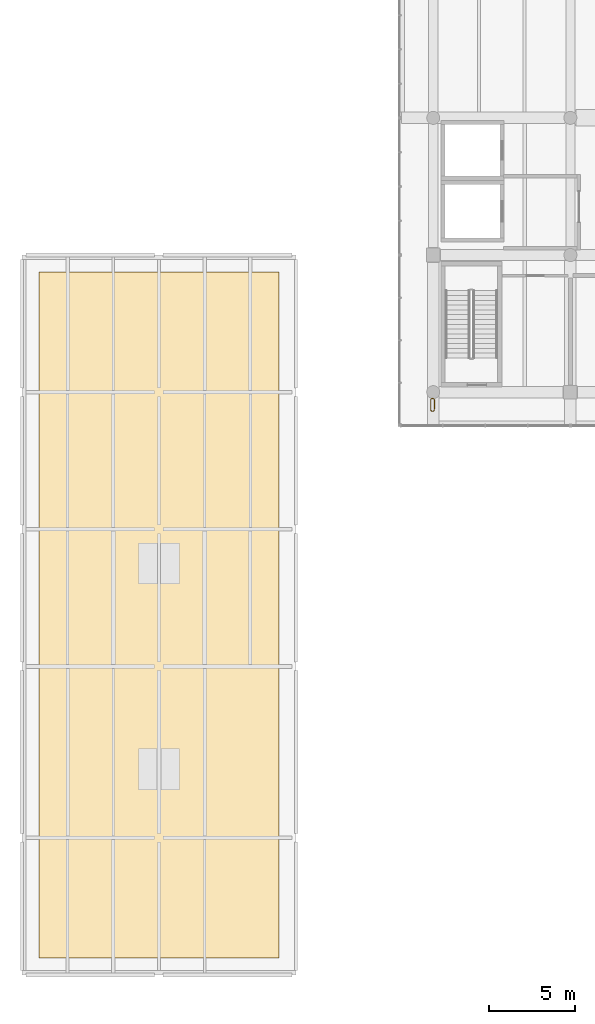
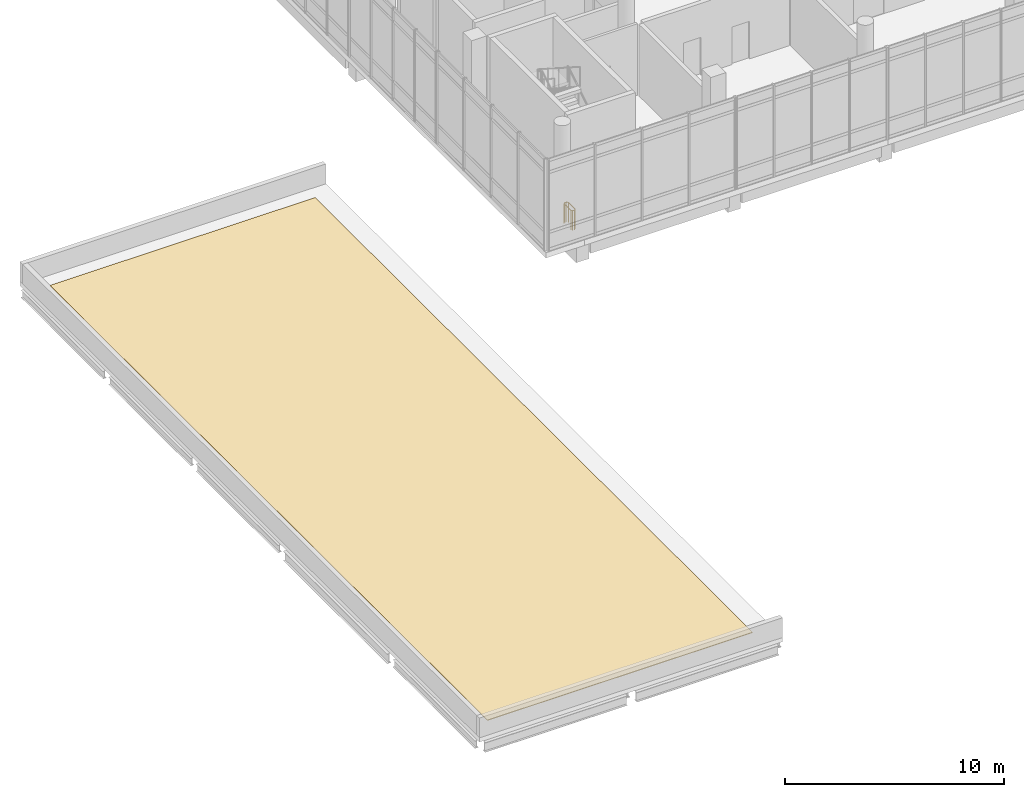
# One storey, part 16 of 20: 1 covering, 1 railing.
"""IFC4 building model written with IfcOpenShell, lengths in metres."""

from ifc_helpers import new_model, si_unit, direction, frame, origin, origin_2d, place, context, subcontext, project, spatial, polyline, circle, outline, extrude, material, layer, layer_set, type_object, element, save


model = new_model("IFC4")

# Units and contexts
model_context = context("Model", 3, precision=1e-05, world=origin(), true_north=direction((0.0, 1.0)))
body_context = subcontext(model_context, "Body", "Model", "MODEL_VIEW")
ifc_project = project(units=[si_unit("LENGTHUNIT", "METRE"), si_unit("AREAUNIT", "SQUARE_METRE"), si_unit("VOLUMEUNIT", "CUBIC_METRE"), si_unit("PLANEANGLEUNIT", "RADIAN"), si_unit("MASSUNIT", "GRAM", prefix="KILO")], contexts=[model_context])

# Site, building, storey
site_placement = place(None, origin())
site = spatial("IfcSite", under=ifc_project, at=site_placement, CompositionType="ELEMENT")
building_placement = place(site_placement, origin())
building = spatial("IfcBuilding", under=site, at=building_placement, Name="Pecanmere Concourse Central Library", CompositionType="ELEMENT")
storey_placement = place(building_placement, frame((0.0, 0.0, 24.89990234375)))
storey = spatial("IfcBuildingStorey", under=building, at=storey_placement, Name="L06", CompositionType="ELEMENT", Elevation=24.89990234375)

# Covering
ifc_material_1 = material(Name="Architectural standing-seam copper")
ifc_layer = layer(ifc_material_1, 0.034912109375, Name="COV_ROOF_COPPER")
ifc_layer_set = layer_set([ifc_layer], Name="Architectural standing-seam copper")
covering_type = type_object("IfcCoveringType", Name="COV_ROOF_COPPER", PredefinedType="ROOFING", material=ifc_layer_set)
covering_placement = place(storey_placement, origin())
element("IfcCovering", 1, at=covering_placement, inside=storey, type_object=covering_type, Name="Standing-Seam Copper Roof Membrane 06", PredefinedType="ROOFING", context=body_context, shape_type="SweptSolid", body=[
    extrude(outline(polyline([(49.0, 57.0), (63.0, 57.0), (63.0, 97.0), (49.0, 97.0), (49.0, 57.0)])), origin(), (0.0, 0.0, 1.0), 0.03515625),
])

# Railing
ifc_material_2 = material(Name="Architectural anodized bronze")
railing_type = type_object("IfcRailingType", Name="RAIL_ATRIUM_BAL", PredefinedType="BALUSTRADE", material=ifc_material_2)
railing_placement = place(storey_placement, frame((71.850341796875, 88.961669921875, 0.0)))
element("IfcRailing", 2, at=railing_placement, inside=storey, type_object=railing_type, Name="Deck Edge Protective Balustrade L06-230", PredefinedType="BALUSTRADE", context=body_context, shape_type="SweptSolid", body=[
    extrude(circle(Radius=0.02392578125, at=origin_2d()), frame((0.0, 0.0, 1.09619140625), z_axis=(0.591491231767, -0.806311430369, 0.0), x_axis=(0.806311430369, 0.591491231767, 0.0)), (0.0, 0.0, 1.0), 0.0830078125),
    extrude(circle(Radius=0.02392578125, at=origin_2d()), frame((0.049072265625, -0.06689453125, 1.09619140625), z_axis=(0.998195860289, -0.060041856258, 0.0), x_axis=(0.060041856258, 0.998195860289, 0.0)), (0.0, 0.0, 1.0), 0.09765625),
    extrude(circle(Radius=0.02392578125, at=origin_2d()), frame((0.146484375, -0.07275390625, 1.09619140625), z_axis=(0.806311430369, 0.591491231767, 0.0), x_axis=(-0.591491231767, 0.806311430369, 0.0)), (0.0, 0.0, 1.0), 0.0830078125),
    extrude(circle(Radius=0.02392578125, at=origin_2d()), frame((0.21337890625, -0.023681640625, 1.09619140625), z_axis=(0.009489489668, 0.999954973779, 0.0), x_axis=(-0.999954973779, 0.009489489668, 0.0)), (0.0, 0.0, 1.0), 0.617431640625),
    extrude(circle(Radius=0.02392578125, at=origin_2d()), frame((0.21923828125, 0.59375, 1.09619140625), z_axis=(-0.591491231767, 0.806311430369, 0.0), x_axis=(-0.806311430369, -0.591491231767, 0.0)), (0.0, 0.0, 1.0), 0.0830078125),
    extrude(circle(Radius=0.02392578125, at=origin_2d()), frame((0.170166015625, 0.66064453125, 1.09619140625), z_axis=(-0.998195860289, 0.060041856258, 0.0), x_axis=(-0.060041856258, -0.998195860289, 0.0)), (0.0, 0.0, 1.0), 0.09765625),
    extrude(circle(Radius=0.02392578125, at=origin_2d()), frame((0.07275390625, 0.66650390625, 1.09619140625), z_axis=(-0.806311430369, -0.591491231767, 0.0), x_axis=(0.591491231767, -0.806311430369, 0.0)), (0.0, 0.0, 1.0), 0.0830078125),
    extrude(circle(Radius=0.02392578125, at=origin_2d()), frame((0.005859375, 0.617431640625, 1.09619140625), z_axis=(-0.009489489668, -0.999954973779, 0.0), x_axis=(0.999954973779, -0.009489489668, 0.0)), (0.0, 0.0, 1.0), 0.617431640625),
    extrude(circle(Radius=0.02099609375, at=origin_2d()), origin(), (0.0, 0.0, 1.0), 1.072021484375),
    extrude(circle(Radius=0.02099609375, at=origin_2d()), frame((0.049072265625, -0.06689453125, 0.0)), (0.0, 0.0, 1.0), 1.072021484375),
    extrude(circle(Radius=0.02099609375, at=origin_2d()), frame((0.146484375, -0.07275390625, 0.0)), (0.0, 0.0, 1.0), 1.072021484375),
    extrude(circle(Radius=0.02099609375, at=origin_2d()), frame((0.21337890625, -0.023681640625, 0.0)), (0.0, 0.0, 1.0), 1.072021484375),
    extrude(circle(Radius=0.02099609375, at=origin_2d()), frame((0.21923828125, 0.59375, 0.0)), (0.0, 0.0, 1.0), 1.072021484375),
    extrude(circle(Radius=0.02099609375, at=origin_2d()), frame((0.170166015625, 0.66064453125, 0.0)), (0.0, 0.0, 1.0), 1.072021484375),
    extrude(circle(Radius=0.02099609375, at=origin_2d()), frame((0.07275390625, 0.66650390625, 0.0)), (0.0, 0.0, 1.0), 1.072021484375),
    extrude(circle(Radius=0.02099609375, at=origin_2d()), frame((0.005859375, 0.617431640625, 0.0)), (0.0, 0.0, 1.0), 1.072021484375),
])

save(model, "model.ifc")
